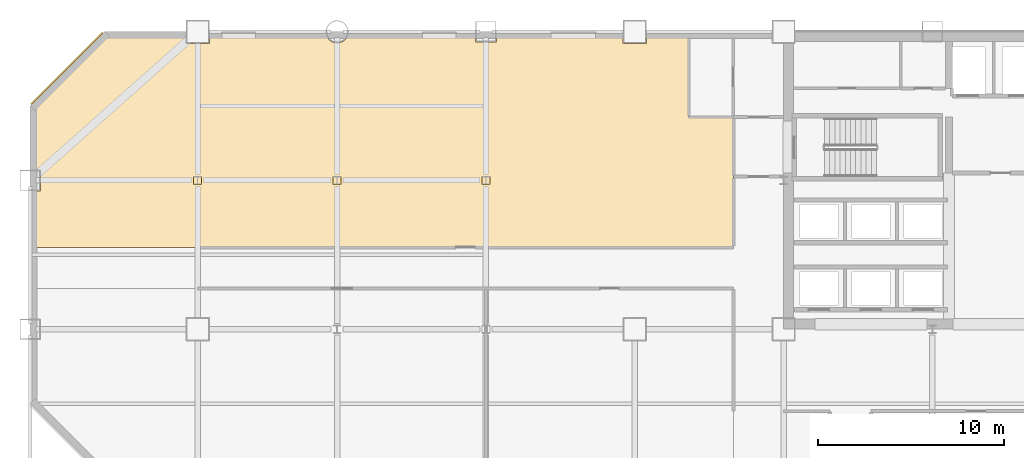
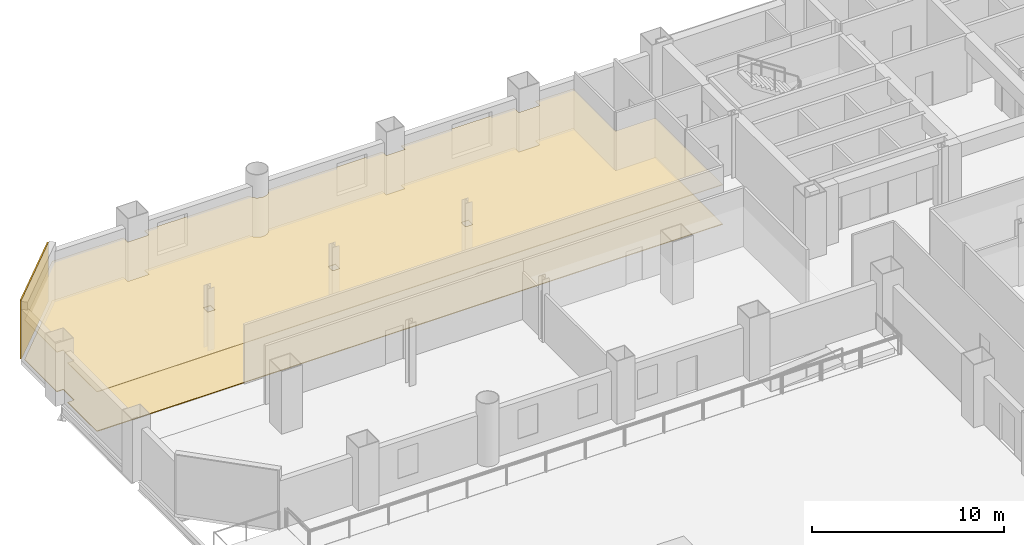
# One storey, part 9 of 11: 3 coverings.
"""IFC4 building model written with IfcOpenShell, lengths in metres."""

import ifcopenshell
import ifcopenshell.guid

model = None  # the IFC model being written
_history = None  # IfcOwnerHistory: only IFC2X3 demands one
_inside = {}  # id of a spatial element -> (the spatial element, [elements in it])
_under = {}  # id of a project, library or spatial element -> (it, [spatial elements below it])
_declared = {}  # id of a project -> (the project, [libraries it declares])
_typed = {}  # id of a type object -> (the type object, [elements of that type])
_made_of = {}  # id of a material, layer set ... -> (it, [elements and type objects made of it])


def new_model(schema):
    """Start an empty IFC model of exactly this schema.

    Asked for "IFC4X3", IfcOpenShell would pick the latest addendum, in which some entities
    have other attributes; the version numbers below select the first issue.
    IFC2X3 requires an IfcOwnerHistory on every rooted entity: one is made here for all.
    """
    global model, _history
    if schema == "IFC4X3":
        model = ifcopenshell.file(schema_version=(4, 3, 0, 0))
    else:
        model = ifcopenshell.file(schema=schema)
    _inside.clear()
    _under.clear()
    _declared.clear()
    _typed.clear()
    _made_of.clear()
    _history = None
    if model.schema == "IFC2X3":
        org = make("IfcOrganization", Name="unknown")
        user = make(
            "IfcPersonAndOrganization",
            ThePerson=make("IfcPerson", FamilyName="unknown"),
            TheOrganization=org,
        )
        app = make(
            "IfcApplication",
            ApplicationDeveloper=org,
            Version="unknown",
            ApplicationFullName="unknown",
            ApplicationIdentifier="unknown",
        )
        _history = make(
            "IfcOwnerHistory",
            OwningUser=user,
            OwningApplication=app,
            ChangeAction="ADDED",
            CreationDate=0,
        )
    return model


def make(cls, **values):
    """One entity of the class cls with the attributes given. An attribute that is None is left unset."""
    return model.create_entity(
        cls, **{name: value for name, value in values.items() if value is not None}
    )


def rooted(cls, **values):
    """An entity with a GlobalId (a new one), such as an element, a storey or a relation."""
    return make(cls, GlobalId=ifcopenshell.guid.new(), OwnerHistory=_history, **values)


def si_unit(unit_type, name, prefix=None):
    """IfcSIUnit, for example si_unit("LENGTHUNIT", "METRE", prefix="MILLI")."""
    return make("IfcSIUnit", UnitType=unit_type, Prefix=prefix, Name=name)


def assignment(units):
    """IfcUnitAssignment: the units of a project."""
    return None if units is None else make("IfcUnitAssignment", Units=units)


def point(xyz):
    """IfcCartesianPoint."""
    return None if xyz is None else make("IfcCartesianPoint", Coordinates=xyz)


def direction(xyz):
    """IfcDirection."""
    return None if xyz is None else make("IfcDirection", DirectionRatios=xyz)


def frame(location, z_axis=None, x_axis=None):
    """IfcAxis2Placement3D, a coordinate frame: its origin and axes. An axis left out is left unset."""
    return make(
        "IfcAxis2Placement3D",
        Location=point(location),
        Axis=direction(z_axis),
        RefDirection=direction(x_axis),
    )


def frame_2d(location, x_axis=None):
    """IfcAxis2Placement2D, a coordinate frame in the plane: its origin and x axis."""
    return make(
        "IfcAxis2Placement2D", Location=point(location), RefDirection=direction(x_axis)
    )


def origin():
    """The frame at (0, 0, 0) with its axes left unset."""
    return frame((0.0, 0.0, 0.0))


def origin_2d():
    """The frame at (0, 0) in the plane with its x axis left unset."""
    return frame_2d((0.0, 0.0))


def place(relative_to, where):
    """IfcLocalPlacement: puts the frame where relative to a parent placement (None: the world)."""
    return make(
        "IfcLocalPlacement", PlacementRelTo=relative_to, RelativePlacement=where
    )


def context(
    kind, dimensions, precision=None, world=None, true_north=None, identifier=None
):
    """IfcGeometricRepresentationContext, for example the 3D "Model" context."""
    return make(
        "IfcGeometricRepresentationContext",
        ContextIdentifier=identifier,
        ContextType=kind,
        CoordinateSpaceDimension=dimensions,
        Precision=precision,
        WorldCoordinateSystem=world,
        TrueNorth=true_north,
    )


def subcontext(parent, identifier, kind, view, scale=None):
    """IfcGeometricRepresentationSubContext, for example "Body" below "Model"."""
    return make(
        "IfcGeometricRepresentationSubContext",
        ContextIdentifier=identifier,
        ContextType=kind,
        ParentContext=parent,
        TargetScale=scale,
        TargetView=view,
    )


def project(units=None, contexts=None):
    """IfcProject with its units and contexts."""
    return rooted(
        "IfcProject",
        Name="project",
        RepresentationContexts=contexts,
        UnitsInContext=assignment(units),
    )


def spatial(cls, under=None, at=None, **own):
    """A site, building, storey or space (cls), placed at a placement, below another one or the project."""
    s = rooted(cls, ObjectPlacement=at, **own)
    if under is not None:
        _under.setdefault(under.id(), (under, []))[1].append(s)
    return s


def polyline(points):
    """IfcPolyline through the points."""
    return make("IfcPolyline", Points=[point(p) for p in points])


def profile(cls, at=None, kind="AREA", **sizes):
    """A parametric profile (cls). Its sizes go by their IFC names, for example OverallWidth=200.0."""
    return make(cls, ProfileType=kind, Position=at, **sizes)


def rectangle(**sizes):
    """IfcRectangleProfileDef."""
    return profile("IfcRectangleProfileDef", **sizes)


def outline(outer, holes=None, kind="AREA"):
    """IfcArbitraryClosedProfileDef: a profile drawn as a closed curve; with holes, ...WithVoids."""
    if holes is None:
        return make("IfcArbitraryClosedProfileDef", ProfileType=kind, OuterCurve=outer)
    return make(
        "IfcArbitraryProfileDefWithVoids",
        ProfileType=kind,
        OuterCurve=outer,
        InnerCurves=holes,
    )


def extrude(swept, where, along, depth):
    """IfcExtrudedAreaSolid: the profile swept, set in the frame where, extruded along a direction by depth."""
    return make(
        "IfcExtrudedAreaSolid",
        SweptArea=swept,
        Position=where,
        ExtrudedDirection=direction(along),
        Depth=depth,
    )


def shape(context_of_items, identifier, shape_type, items):
    """IfcShapeRepresentation: the items that make up one representation, for example the "Body"."""
    return make(
        "IfcShapeRepresentation",
        ContextOfItems=context_of_items,
        RepresentationIdentifier=identifier,
        RepresentationType=shape_type,
        Items=items,
    )


def material(Name=None, Category=None):
    """IfcMaterial."""
    return make("IfcMaterial", Name=Name, Category=Category)


def layer(
    of_material, thickness, ventilated=None, Name=None, Category=None, Priority=None
):
    """IfcMaterialLayer: one layer of a wall or slab, of a material (None: an air gap)."""
    return make(
        "IfcMaterialLayer",
        Material=of_material,
        LayerThickness=thickness,
        IsVentilated=ventilated,
        Name=Name,
        Category=Category,
        Priority=Priority,
    )


def layer_set(layers, Name=None):
    """IfcMaterialLayerSet."""
    return make("IfcMaterialLayerSet", MaterialLayers=layers, LayerSetName=Name)


def made_of(thing, what):
    """Note that an element or type object is made of a material, layer set ...; save() writes the relation."""
    if what is not None:
        _made_of.setdefault(what.id(), (what, []))[1].append(thing)
    return thing


def type_object(cls, material=None, **own):
    """A type object (cls), such as IfcWallType, which elements share."""
    return made_of(rooted(cls, **own), material)


def element(
    cls,
    number,
    at=None,
    inside=None,
    cuts=None,
    type_object=None,
    material=None,
    context=None,
    identifier="Body",
    shape_type=None,
    held_by="IfcProductDefinitionShape",
    body=None,
    shapes=None,
    **own,
):
    """One element of the class cls, such as IfcWall. Its Tag is "e" and its number.

    at: its placement. inside: the storey or other place that contains it. cuts: it is an
    opening in that element (IfcRelVoidsElement). A single representation is given by context,
    identifier, shape_type and body (its items); several are given by shapes. held_by: the class
    of the entity that holds the representations. save() writes the other relations.
    """
    e = rooted(cls, Tag="e%d" % number, ObjectPlacement=at, **own)
    if body is not None:
        shapes = [shape(context, identifier, shape_type, body)]
    if shapes is not None:
        e.Representation = make(held_by, Representations=shapes)
    if inside is not None:
        _inside.setdefault(inside.id(), (inside, []))[1].append(e)
    if cuts is not None:
        rooted(
            "IfcRelVoidsElement", RelatingBuildingElement=cuts, RelatedOpeningElement=e
        )
    if type_object is not None:
        _typed.setdefault(type_object.id(), (type_object, []))[1].append(e)
    return made_of(e, material)


def aggregate(whole, parts):
    """IfcRelAggregates: a whole, such as a stair, and the parts it consists of."""
    return rooted("IfcRelAggregates", RelatingObject=whole, RelatedObjects=parts)


def save(model, path):
    """Write the relations noted so far, then the file.

    IfcRelAggregates (storeys below a building ...), IfcRelContainedInSpatialStructure (elements
    in a storey), IfcRelDefinesByType, IfcRelAssociatesMaterial and IfcRelDeclares: one each for
    every whole, place, type object, material and project.
    """
    for whole, parts in _under.values():
        aggregate(whole, parts)
    for where, things in _inside.values():
        rooted(
            "IfcRelContainedInSpatialStructure",
            RelatedElements=things,
            RelatingStructure=where,
        )
    for kind, things in _typed.values():
        rooted("IfcRelDefinesByType", RelatedObjects=things, RelatingType=kind)
    for what, things in _made_of.values():
        rooted("IfcRelAssociatesMaterial", RelatedObjects=things, RelatingMaterial=what)
    for by, libraries in _declared.values():
        rooted("IfcRelDeclares", RelatingContext=by, RelatedDefinitions=libraries)
    model.write(path)


model = new_model("IFC4")

# Units and contexts
model_context = context("Model", 3, precision=1e-05, world=origin(), true_north=direction((0.0, 1.0)))
body_context = subcontext(model_context, "Body", "Model", "MODEL_VIEW")
ifc_project = project(units=[si_unit("LENGTHUNIT", "METRE"), si_unit("AREAUNIT", "SQUARE_METRE"), si_unit("VOLUMEUNIT", "CUBIC_METRE"), si_unit("PLANEANGLEUNIT", "RADIAN"), si_unit("MASSUNIT", "GRAM", prefix="KILO")], contexts=[model_context])

# Site, building, storey
site_placement = place(None, origin())
site = spatial("IfcSite", under=ifc_project, at=site_placement, CompositionType="ELEMENT")
building_placement = place(site_placement, origin())
building = spatial("IfcBuilding", under=site, at=building_placement, Name="Qianrong Seaharbour Tower", CompositionType="ELEMENT")
storey_placement = place(building_placement, frame((0.0, 0.0, 28.199951171875)))
storey = spatial("IfcBuildingStorey", under=building, at=storey_placement, Name="L06", CompositionType="ELEMENT", Elevation=28.199951171875)

# Coverings
ifc_material_1 = material(Name="Mineral fibre acoustic suspended ceiling board")
ifc_layer_1 = layer(ifc_material_1, 0.0400390625)
ifc_layer_set_1 = layer_set([ifc_layer_1], Name="Mineral fibre acoustic suspended ceiling board")
covering_type_1 = type_object("IfcCoveringType", Name="COV-CEIL-ACOUSTIC-40", PredefinedType="CEILING", material=ifc_layer_set_1)
covering_1_placement = place(storey_placement, frame((0.0, 0.0, 2.510009765625)))
element("IfcCovering", 1, at=covering_1_placement, inside=storey, type_object=covering_type_1, Name="L06 Transfer Hub Open-Plan Office Acoustic Ceiling", PredefinedType="CEILING", context=body_context, shape_type="SweptSolid", body=[
    extrude(outline(polyline([(0.175048828125, 43.43994140625), (0.56005859375, 43.43994140625), (0.56005859375, 44.56005859375), (0.175048828125, 44.56005859375), (0.175048828125, 47.927490234375), (4.072509765625, 51.824951171875), (8.364990234375, 51.824951171875), (8.364990234375, 51.364990234375), (9.635009765625, 51.364990234375), (9.635009765625, 51.824951171875), (15.918701171875, 51.824951171875), (15.936279296875, 51.7666015625), (15.992919921875, 51.6611328125), (16.068603515625, 51.568603515625), (16.1611328125, 51.492919921875), (16.2666015625, 51.436279296875), (16.381103515625, 51.401611328125), (16.5, 51.389892578125), (16.618896484375, 51.401611328125), (16.7333984375, 51.436279296875), (16.8388671875, 51.492919921875), (16.931396484375, 51.568603515625), (17.007080078125, 51.6611328125), (17.063720703125, 51.7666015625), (17.081298828125, 51.824951171875), (23.93994140625, 51.824951171875), (23.93994140625, 51.43994140625), (25.06005859375, 51.43994140625), (25.06005859375, 51.824951171875), (31.864990234375, 51.824951171875), (31.864990234375, 51.364990234375), (33.135009765625, 51.364990234375), (33.135009765625, 51.824951171875), (35.39990234375, 51.824951171875), (35.39990234375, 47.39990234375), (37.800048828125, 47.39990234375), (37.800048828125, 40.39990234375), (0.175048828125, 40.39990234375), (0.175048828125, 43.43994140625)]), holes=[polyline([(24.71337890625, 43.77587890625), (24.71337890625, 44.22412109375), (24.28662109375, 44.22412109375), (24.28662109375, 43.77587890625), (24.71337890625, 43.77587890625)]), polyline([(16.28662109375, 43.77587890625), (16.71337890625, 43.77587890625), (16.71337890625, 44.22412109375), (16.28662109375, 44.22412109375), (16.28662109375, 43.77587890625)]), polyline([(8.78662109375, 43.77587890625), (9.21337890625, 43.77587890625), (9.21337890625, 44.22412109375), (8.78662109375, 44.22412109375), (8.78662109375, 43.77587890625)])]), origin(), (0.0, 0.0, 1.0), 0.0400390625),
])
ifc_material_2 = material(Name="Unitised red brick cladding on Precast concrete C45/55", Category="masonry")
ifc_layer_2 = layer(ifc_material_2, 0.080078125)
ifc_layer_set_2 = layer_set([ifc_layer_2], Name="Unitised red brick cladding on Precast concrete C45/55")
covering_type_2 = type_object("IfcCoveringType", Name="COV-CLAD-RED-BRICK-80", PredefinedType="CLADDING", material=ifc_layer_set_2)
covering_2_placement = place(storey_placement, frame((1.9716796875, 50.0283203125, 0.0), z_axis=(0.0, 0.0, 1.0), x_axis=(0.707106781187, 0.707106781187, 0.0)))
element("IfcCovering", 2, at=covering_2_placement, inside=storey, type_object=covering_type_2, Name="L06 Chamfer Corner Brick Cladding 04", PredefinedType="CLADDING", context=body_context, shape_type="SweptSolid", body=[
    extrude(rectangle(XDim=5.456787109375, YDim=0.080078125, at=origin_2d()), origin(), (0.0, 0.0, 1.0), 3.75),
])
ifc_material_3 = material(Name="Calcium-sulphate raised access floor tile")
ifc_layer_3 = layer(ifc_material_3, 0.044921875)
ifc_layer_set_3 = layer_set([ifc_layer_3], Name="Calcium-sulphate raised access floor tile")
covering_type_3 = type_object("IfcCoveringType", Name="COV-FLOOR-RAISED-45", PredefinedType="FLOORING", material=ifc_layer_set_3)
covering_3_placement = place(storey_placement, origin())
element("IfcCovering", 3, at=covering_3_placement, inside=storey, type_object=covering_type_3, Name="L06 Transfer Hub Open-Plan Office Finish Flooring", PredefinedType="FLOORING", context=body_context, shape_type="SweptSolid", body=[
    extrude(outline(polyline([(0.175048828125, 43.43994140625), (0.56005859375, 43.43994140625), (0.56005859375, 44.56005859375), (0.175048828125, 44.56005859375), (0.175048828125, 47.927490234375), (4.072509765625, 51.824951171875), (8.364990234375, 51.824951171875), (8.364990234375, 51.364990234375), (9.635009765625, 51.364990234375), (9.635009765625, 51.824951171875), (15.918701171875, 51.824951171875), (15.936279296875, 51.7666015625), (15.992919921875, 51.6611328125), (16.068603515625, 51.568603515625), (16.1611328125, 51.492919921875), (16.2666015625, 51.436279296875), (16.381103515625, 51.401611328125), (16.5, 51.389892578125), (16.618896484375, 51.401611328125), (16.7333984375, 51.436279296875), (16.8388671875, 51.492919921875), (16.931396484375, 51.568603515625), (17.007080078125, 51.6611328125), (17.063720703125, 51.7666015625), (17.081298828125, 51.824951171875), (23.93994140625, 51.824951171875), (23.93994140625, 51.43994140625), (25.06005859375, 51.43994140625), (25.06005859375, 51.824951171875), (31.864990234375, 51.824951171875), (31.864990234375, 51.364990234375), (33.135009765625, 51.364990234375), (33.135009765625, 51.824951171875), (35.39990234375, 51.824951171875), (35.39990234375, 47.39990234375), (37.800048828125, 47.39990234375), (37.800048828125, 40.39990234375), (0.175048828125, 40.39990234375), (0.175048828125, 43.43994140625)])), origin(), (0.0, 0.0, 1.0), 0.045166015625),
])

save(model, "model.ifc")
